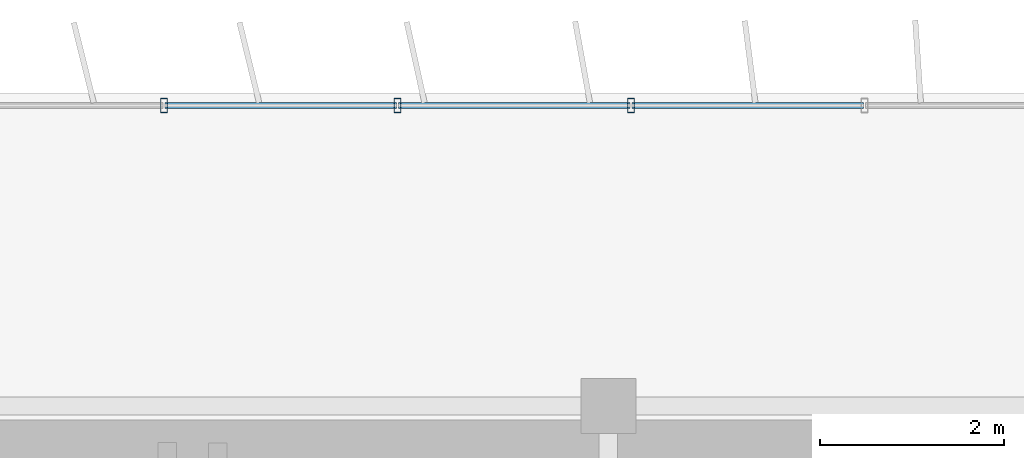
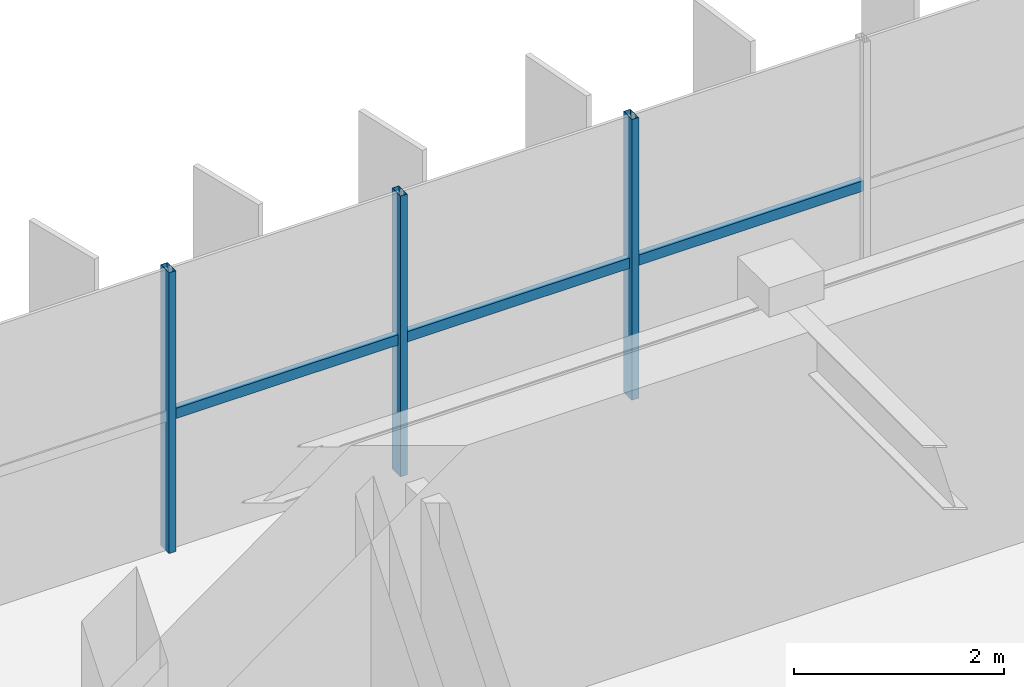
# One storey, part 12 of 28: 6 members, 1 element without a shape of its own.
"""IFC4 building model written with IfcOpenShell, lengths in metres."""

from ifc_helpers import new_model, si_unit, direction, frame, origin, origin_2d, place, context, subcontext, project, spatial, hollow_rectangle, extrude, source, transform, mapped, material, material_profile, profile_set, type_object, element, aggregate, save


model = new_model("IFC4")

# Units and contexts
model_context = context("Model", 3, precision=1e-05, world=origin(), true_north=direction((0.0, 1.0)))
body_context = subcontext(model_context, "Body", "Model", "MODEL_VIEW")
ifc_project = project(units=[si_unit("LENGTHUNIT", "METRE"), si_unit("AREAUNIT", "SQUARE_METRE"), si_unit("VOLUMEUNIT", "CUBIC_METRE"), si_unit("PLANEANGLEUNIT", "RADIAN"), si_unit("MASSUNIT", "GRAM", prefix="KILO")], contexts=[model_context])

# Site, building, storey
site_placement = place(None, origin())
site = spatial("IfcSite", under=ifc_project, at=site_placement, CompositionType="ELEMENT")
building_placement = place(site_placement, origin())
building = spatial("IfcBuilding", under=site, at=building_placement, Name="Trelvane Seafront Commons", CompositionType="ELEMENT")
storey_placement = place(building_placement, frame((0.0, 0.0, 295.5)))
storey = spatial("IfcBuildingStorey", under=building, at=storey_placement, Name="L77", CompositionType="ELEMENT", Elevation=295.5)

# Curtain wall, members
ifc_material = material(Name="Anodised pale-silver aluminium", Category="aluminium")
curtain_wall_type = type_object("IfcCurtainWallType", Name="ARCH-CW5-UPTOWER", PredefinedType="NOTDEFINED", material=ifc_material)
curtain_wall_placement = place(storey_placement, origin())
curtain_wall = element("IfcCurtainWall", 1, at=curtain_wall_placement, inside=storey, type_object=curtain_wall_type, Name="CW-L77-0122", PredefinedType="NOTDEFINED")
ifc_material_profile_1 = material_profile(ifc_material, hollow_rectangle(XDim=0.070068359375, YDim=0.1201171875, WallThickness=0.00390625, at=origin_2d()), Name="TRAN-70x120x4")
ifc_profile_set_1 = profile_set([ifc_material_profile_1], Name="Anodised pale-silver aluminium")
member_type_1 = type_object("IfcMemberType", Name="ARCH-CW-TRAN-120", PredefinedType="USERDEFINED", material=ifc_profile_set_1)
shared_shape_1 = source(origin(), body_context, "Body", "SweptSolid", [
    extrude(hollow_rectangle(XDim=0.070068359375, YDim=0.1201171875, WallThickness=0.00390625, at=origin_2d()), origin(), (0.0, 0.0, 1.0), 2.51708984375),
])
member_1_placement = place(storey_placement, frame((30.859130859375, 48.3701171875, 1.56494140625), z_axis=(1.0, 0.0, 0.0), x_axis=(0.0, 1.0, 0.0)))
member_1 = element("IfcMember", 2, at=member_1_placement, type_object=member_type_1, Name="CW-L77-0122-T06", ObjectType="TRANSOM", PredefinedType="USERDEFINED", context=body_context, shape_type="MappedRepresentation", body=[
    mapped(shared_shape_1, transform((0.0, 0.0, 0.0), x_axis=(1.0, 0.0, 0.0), y_axis=(0.0, 1.0, 0.0), z_axis=(0.0, 0.0, 1.0), scale=1.0)),
])
shared_shape_2 = source(origin(), body_context, "Body", "SweptSolid", [
    extrude(hollow_rectangle(XDim=0.070068359375, YDim=0.1201171875, WallThickness=0.00390625, at=origin_2d()), origin(), (0.0, 0.0, 1.0), 2.517333984375),
])
member_2_placement = place(storey_placement, frame((25.776611328125, 48.3701171875, 1.56494140625), z_axis=(1.0, 0.0, 0.0), x_axis=(0.0, 1.0, 0.0)))
member_2 = element("IfcMember", 3, at=member_2_placement, type_object=member_type_1, Name="CW-L77-0122-T04", ObjectType="TRANSOM", PredefinedType="USERDEFINED", context=body_context, shape_type="MappedRepresentation", body=[
    mapped(shared_shape_2, transform((0.0, 0.0, 0.0), x_axis=(1.0, 0.0, 0.0), y_axis=(0.0, 1.0, 0.0), z_axis=(0.0, 0.0, 1.0), scale=1.0)),
])
member_3_placement = place(storey_placement, frame((28.31787109375, 48.3701171875, 1.56494140625), z_axis=(1.0, 0.0, 0.0), x_axis=(0.0, 1.0, 0.0)))
member_3 = element("IfcMember", 4, at=member_3_placement, type_object=member_type_1, Name="CW-L77-0122-T05", ObjectType="TRANSOM", PredefinedType="USERDEFINED", context=body_context, shape_type="MappedRepresentation", body=[
    mapped(shared_shape_2, transform((0.0, 0.0, 0.0), x_axis=(1.0, 0.0, 0.0), y_axis=(0.0, 1.0, 0.0), z_axis=(0.0, 0.0, 1.0), scale=1.0)),
])
ifc_material_profile_2 = material_profile(ifc_material, hollow_rectangle(XDim=0.074951171875, YDim=0.159912109375, WallThickness=0.00390625, at=origin_2d()), Name="MULL-75x160x4")
ifc_profile_set_2 = profile_set([ifc_material_profile_2], Name="Anodised pale-silver aluminium")
member_type_2 = type_object("IfcMemberType", Name="ARCH-CW-MULL-160", PredefinedType="MULLION", material=ifc_profile_set_2)
shared_shape_3 = source(origin(), body_context, "Body", "SweptSolid", [
    extrude(hollow_rectangle(XDim=0.074951171875, YDim=0.159912109375, WallThickness=0.00390625, at=origin_2d()), origin(), (0.0, 0.0, 1.0), 3.260009765625),
])
member_4_placement = place(storey_placement, frame((25.7646484375, 48.3701171875, 0.0), z_axis=(0.0, 0.0, 1.0), x_axis=(1.0, 0.0, 0.0)))
member_4 = element("IfcMember", 5, at=member_4_placement, type_object=member_type_2, Name="CW-L77-0122-M04", PredefinedType="MULLION", context=body_context, shape_type="MappedRepresentation", body=[
    mapped(shared_shape_3, transform((0.0, 0.0, 0.0), x_axis=(1.0, 0.0, 0.0), y_axis=(0.0, 1.0, 0.0), z_axis=(0.0, 0.0, 1.0), scale=1.0)),
])
member_5_placement = place(storey_placement, frame((28.305908203125, 48.3701171875, 0.0), z_axis=(0.0, 0.0, 1.0), x_axis=(1.0, 0.0, 0.0)))
member_5 = element("IfcMember", 6, at=member_5_placement, type_object=member_type_2, Name="CW-L77-0122-M05", PredefinedType="MULLION", context=body_context, shape_type="MappedRepresentation", body=[
    mapped(shared_shape_3, transform((0.0, 0.0, 0.0), x_axis=(1.0, 0.0, 0.0), y_axis=(0.0, 1.0, 0.0), z_axis=(0.0, 0.0, 1.0), scale=1.0)),
])
member_6_placement = place(storey_placement, frame((30.84716796875, 48.3701171875, 0.0), z_axis=(0.0, 0.0, 1.0), x_axis=(1.0, 0.0, 0.0)))
member_6 = element("IfcMember", 7, at=member_6_placement, type_object=member_type_2, Name="CW-L77-0122-M06", PredefinedType="MULLION", context=body_context, shape_type="MappedRepresentation", body=[
    mapped(shared_shape_3, transform((0.0, 0.0, 0.0), x_axis=(1.0, 0.0, 0.0), y_axis=(0.0, 1.0, 0.0), z_axis=(0.0, 0.0, 1.0), scale=1.0)),
])
aggregate(curtain_wall, [member_4, member_5, member_6, member_2, member_3, member_1])

save(model, "model.ifc")
